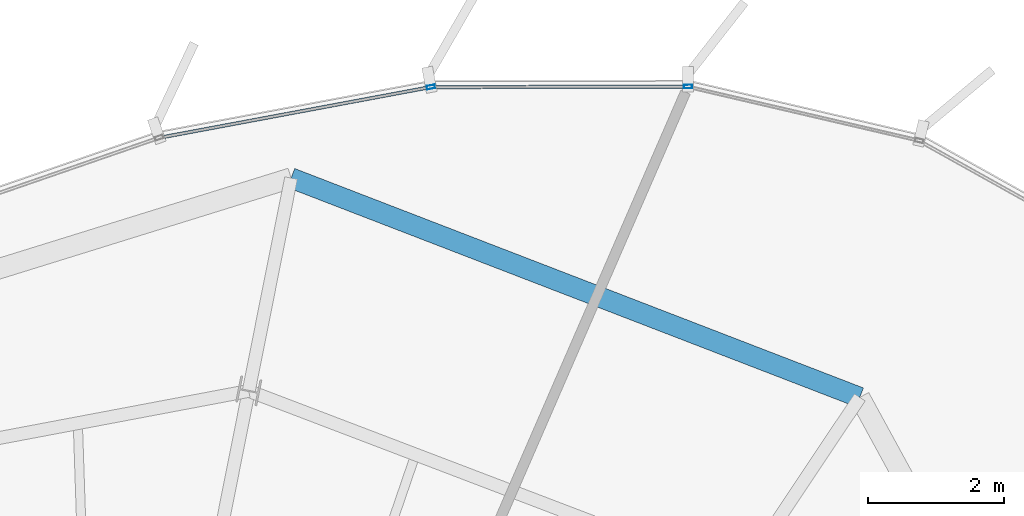
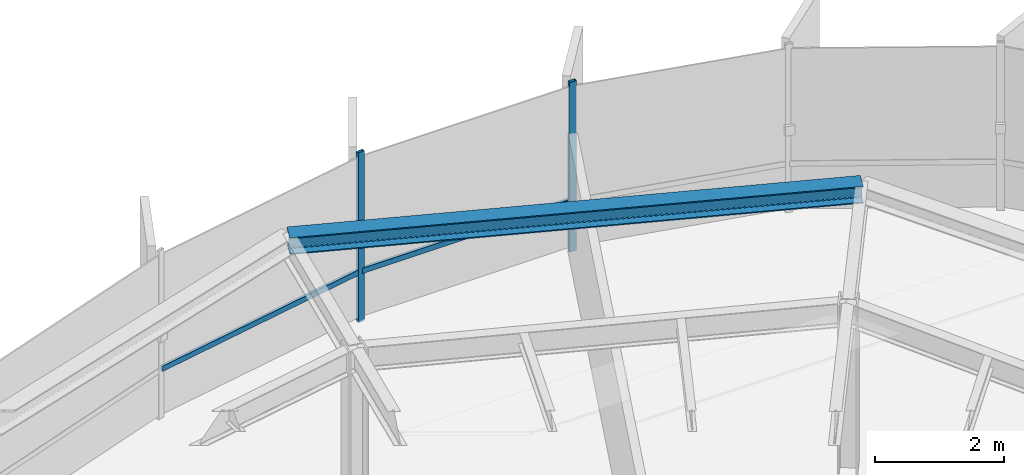
# One storey, part 24 of 35: 4 members, 1 beam, 1 element without a shape of its own.
"""IFC4 building model written with IfcOpenShell, lengths in metres."""

from ifc_helpers import new_model, si_unit, direction, frame, origin, origin_2d, place, context, subcontext, project, spatial, hollow_rectangle, i_section, extrude, source, transform, mapped, material, layer, layer_set, material_profile, profile_set, type_object, element, aggregate, save


model = new_model("IFC4")

# Units and contexts
model_context = context("Model", 3, precision=1e-05, world=origin(), true_north=direction((0.0, 1.0)))
body_context = subcontext(model_context, "Body", "Model", "MODEL_VIEW")
ifc_project = project(units=[si_unit("LENGTHUNIT", "METRE"), si_unit("AREAUNIT", "SQUARE_METRE"), si_unit("VOLUMEUNIT", "CUBIC_METRE"), si_unit("PLANEANGLEUNIT", "RADIAN"), si_unit("MASSUNIT", "GRAM", prefix="KILO"), si_unit("THERMODYNAMICTEMPERATUREUNIT", "KELVIN")], contexts=[model_context])

# Site, building, storey
site_placement = place(None, origin())
site = spatial("IfcSite", under=ifc_project, at=site_placement, CompositionType="ELEMENT")
building_placement = place(site_placement, origin())
building = spatial("IfcBuilding", under=site, at=building_placement, Name="Kethvar Cultural Tower", CompositionType="ELEMENT")
storey_placement = place(building_placement, frame((0.0, 0.0, 245.64990234375)))
storey = spatial("IfcBuildingStorey", under=building, at=storey_placement, Name="L64", CompositionType="ELEMENT", Elevation=245.64990234375)

# Beam
ifc_material_1 = material(Name="Steel S355J2", Category="steel")
ifc_material_profile_1 = material_profile(ifc_material_1, i_section(OverallWidth=0.300048828125, OverallDepth=0.320068359375, WebThickness=0.011474609375, FlangeThickness=0.0205078125, FilletRadius=0.027099609375, at=origin_2d()), Name="Steel S355J2 — HEB320")
ifc_profile_set_1 = profile_set([ifc_material_profile_1], Name="Steel S355J2 — HEB320")
beam_type = type_object("IfcBeamType", Name="BM-SP320", PredefinedType="SPANDREL", material=ifc_profile_set_1)
shared_shape_1 = source(origin(), body_context, "Body", "SweptSolid", [
    extrude(i_section(OverallWidth=0.300048828125, OverallDepth=0.320068359375, WebThickness=0.011474609375, FlangeThickness=0.0205078125, FilletRadius=0.027099609375, at=origin_2d()), origin(), (0.0, 0.0, 1.0), 8.98583984375),
])
beam_placement = place(storey_placement, frame((59.653076171875, 47.035888671875, 3.048095703125), z_axis=(-0.932983803051, 0.359918356359, 0.0), x_axis=(-0.359918356359, -0.932983803051, 0.0)))
element("IfcBeam", 1, at=beam_placement, inside=storey, type_object=beam_type, Name="L64 Perimeter Spandrel Beam SP-03", PredefinedType="SPANDREL", context=body_context, shape_type="MappedRepresentation", body=[
    mapped(shared_shape_1, transform((0.0, 0.0, 0.0), scale=1.0)),
])

# Curtain wall, members
ifc_material_2 = material(Name="Aluminium 6063-T6", Category="aluminium")
ifc_layer = layer(ifc_material_2, 0.179931640625, Name="Aluminium 6063-T6", Category="aluminium")
ifc_layer_set = layer_set([ifc_layer], Name="Aluminium 6063-T6 (180 mm)")
curtain_wall_type = type_object("IfcCurtainWallType", Name="CW-SYS-05-Z56", PredefinedType="NOTDEFINED", material=ifc_layer_set)
curtain_wall_placement = place(storey_placement, origin())
curtain_wall = element("IfcCurtainWall", 2, at=curtain_wall_placement, inside=storey, type_object=curtain_wall_type, Name="L64 Curtain Wall Run 01", PredefinedType="NOTDEFINED")
ifc_material_profile_2 = material_profile(ifc_material_2, hollow_rectangle(XDim=0.054931640625, YDim=0.1201171875, WallThickness=0.00390625, at=origin_2d()), Name="Aluminium 6063-T6 — RHS120x55x4")
ifc_profile_set_2 = profile_set([ifc_material_profile_2], Name="Aluminium 6063-T6 — RHS120x55x4")
member_type_1 = type_object("IfcMemberType", Name="CW-SYS-05-Z56-MUL", PredefinedType="MULLION", material=ifc_profile_set_2)
shared_shape_2 = source(origin(), body_context, "Body", "SweptSolid", [
    extrude(hollow_rectangle(XDim=0.054931640625, YDim=0.1201171875, WallThickness=0.00390625, at=origin_2d()), origin(), (0.0, 0.0, 1.0), 3.210205078125),
])
member_1_placement = place(storey_placement, frame((57.12060546875, 51.617919921875, 0.0), z_axis=(0.0, 0.0, 1.0), x_axis=(0.002199113085, -0.999997581948, 0.0)))
member_1 = element("IfcMember", 3, at=member_1_placement, type_object=member_type_1, Name="CW-L64-R01 Mullion 3", PredefinedType="MULLION", context=body_context, shape_type="MappedRepresentation", body=[
    mapped(shared_shape_2, transform((0.0, 0.0, 0.0), scale=1.0)),
])
member_2_placement = place(storey_placement, frame((53.329833984375, 51.611083984375, 0.0), z_axis=(0.0, 0.0, 1.0), x_axis=(0.183676856113, -0.982986679731, 0.0)))
member_2 = element("IfcMember", 4, at=member_2_placement, type_object=member_type_1, Name="CW-L64-R01 Mullion 4", PredefinedType="MULLION", context=body_context, shape_type="MappedRepresentation", body=[
    mapped(shared_shape_2, transform((0.0, 0.0, 0.0), scale=1.0)),
])
ifc_material_profile_3 = material_profile(ifc_material_2, hollow_rectangle(XDim=0.050048828125, YDim=0.10009765625, WallThickness=0.00390625, at=origin_2d()), Name="Aluminium 6063-T6 — RHS100x50x4")
ifc_profile_set_3 = profile_set([ifc_material_profile_3], Name="Aluminium 6063-T6 — RHS100x50x4")
member_type_2 = type_object("IfcMemberType", Name="CW-SYS-05-Z56-TRN", PredefinedType="USERDEFINED", material=ifc_profile_set_3)
shared_shape_3 = source(origin(), body_context, "Body", "SweptSolid", [
    extrude(hollow_rectangle(XDim=0.050048828125, YDim=0.10009765625, WallThickness=0.00390625, at=origin_2d()), origin(), (0.0, 0.0, 1.0), 4.009521484375),
])
member_3_placement = place(storey_placement, frame((53.291015625, 51.60400390625, 0.9501953125), z_axis=(-0.982982299346, -0.183700297146, 0.0), x_axis=(0.183700297146, -0.982982299346, 0.0)))
member_3 = element("IfcMember", 5, at=member_3_placement, type_object=member_type_2, Name="CW-L64-R01 Transom 4", ObjectType="TRANSOM", PredefinedType="USERDEFINED", context=body_context, shape_type="MappedRepresentation", body=[
    mapped(shared_shape_3, transform((0.0, 0.0, 0.0), scale=1.0)),
])
shared_shape_4 = source(origin(), body_context, "Body", "SweptSolid", [
    extrude(hollow_rectangle(XDim=0.050048828125, YDim=0.10009765625, WallThickness=0.00390625, at=origin_2d()), origin(), (0.0, 0.0, 1.0), 3.729736328125),
])
member_4_placement = place(storey_placement, frame((57.0810546875, 51.617919921875, 0.9501953125), z_axis=(-0.999997523433, -0.002225562335, 0.0), x_axis=(0.002225562335, -0.999997523433, 0.0)))
member_4 = element("IfcMember", 6, at=member_4_placement, type_object=member_type_2, Name="CW-L64-R01 Transom 3", ObjectType="TRANSOM", PredefinedType="USERDEFINED", context=body_context, shape_type="MappedRepresentation", body=[
    mapped(shared_shape_4, transform((0.0, 0.0, 0.0), scale=1.0)),
])
aggregate(curtain_wall, [member_1, member_2, member_4, member_3])

save(model, "model.ifc")
